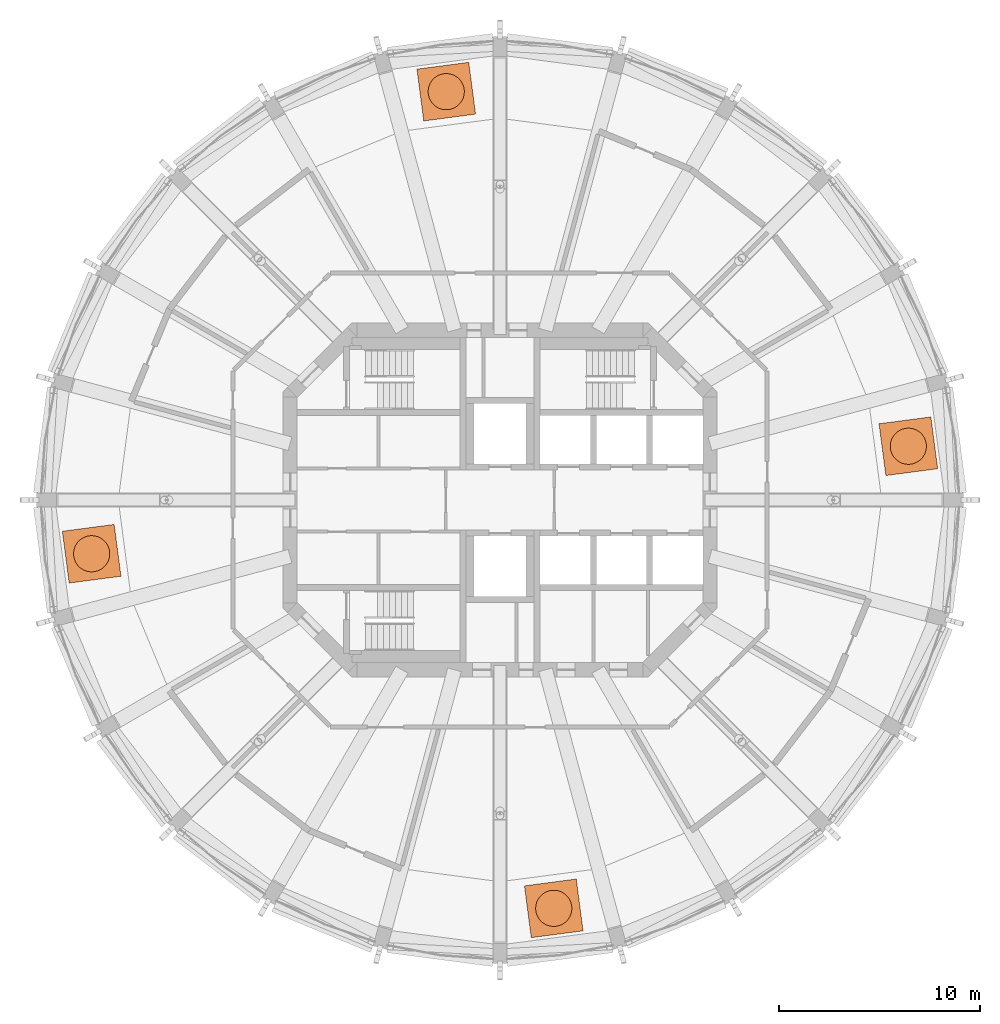
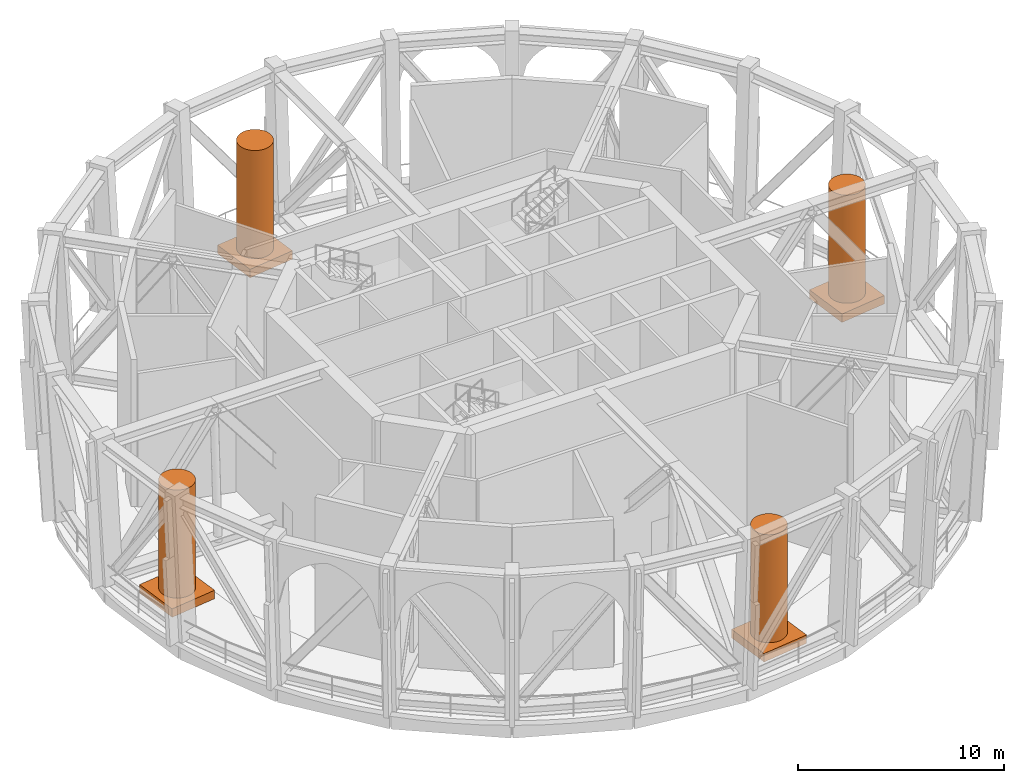
# One storey, part 12 of 12: 8 proxies.
"""IFC4 building model written with IfcOpenShell, lengths in metres."""

from ifc_helpers import new_model, si_unit, direction, frame, origin, origin_2d, place, context, subcontext, project, spatial, rectangle, circle, extrude, element, save


model = new_model("IFC4")

# Units and contexts
model_context = context("Model", 3, precision=1e-05, world=origin(), true_north=direction((0.0, 1.0)))
body_context = subcontext(model_context, "Body", "Model", "MODEL_VIEW")
ifc_project = project(units=[si_unit("LENGTHUNIT", "METRE"), si_unit("AREAUNIT", "SQUARE_METRE"), si_unit("VOLUMEUNIT", "CUBIC_METRE"), si_unit("PLANEANGLEUNIT", "RADIAN"), si_unit("MASSUNIT", "GRAM", prefix="KILO")], contexts=[model_context])

# Site, building, storey
site_placement = place(None, origin())
site = spatial("IfcSite", under=ifc_project, at=site_placement, CompositionType="ELEMENT")
building_placement = place(site_placement, origin())
building = spatial("IfcBuilding", under=site, at=building_placement, Name="Torre Triforio", CompositionType="ELEMENT")
storey_placement = place(building_placement, frame((0.0, 0.0, 183.800048828125)))
storey = spatial("IfcBuildingStorey", under=building, at=storey_placement, Name="L42", CompositionType="ELEMENT", Elevation=183.800048828125)

# Proxies
proxy_1_placement = place(storey_placement, frame((20.32470703125, 2.67578125, 0.0), z_axis=(0.0, 0.0, 1.0), x_axis=(0.991444861374, 0.13052619222, 0.0)))
element("IfcBuildingElementProxy", 1, at=proxy_1_placement, inside=storey, Name="Turbine plinth T1", PredefinedType="ELEMENT", context=body_context, shape_type="SweptSolid", body=[
    extrude(rectangle(XDim=2.60009765625, YDim=2.60009765625, at=origin_2d()), origin(), (0.0, 0.0, 1.0), 0.5),
])
proxy_2_placement = place(storey_placement, frame((20.32470703125, 2.67578125, 0.5), z_axis=(0.0, 0.0, 1.0), x_axis=(1.0, 0.0, 0.0)))
element("IfcBuildingElementProxy", 2, at=proxy_2_placement, inside=storey, Name="WIND TURBINE T1", PredefinedType="ELEMENT", context=body_context, shape_type="SweptSolid", body=[
    extrude(circle(Radius=0.89990234375, at=origin_2d()), origin(), (0.0, 0.0, 1.0), 6.39990234375),
])
proxy_3_placement = place(storey_placement, frame((-2.67578125, 20.32470703125, 0.0), z_axis=(0.0, 0.0, 1.0), x_axis=(-0.13052619222, 0.991444861374, 0.0)))
element("IfcBuildingElementProxy", 3, at=proxy_3_placement, inside=storey, Name="Turbine plinth T2", PredefinedType="ELEMENT", context=body_context, shape_type="SweptSolid", body=[
    extrude(rectangle(XDim=2.60009765625, YDim=2.60009765625, at=origin_2d()), origin(), (0.0, 0.0, 1.0), 0.5),
])
proxy_4_placement = place(storey_placement, frame((-2.67578125, 20.32470703125, 0.5), z_axis=(0.0, 0.0, 1.0), x_axis=(1.0, 0.0, 0.0)))
element("IfcBuildingElementProxy", 4, at=proxy_4_placement, inside=storey, Name="WIND TURBINE T2", PredefinedType="ELEMENT", context=body_context, shape_type="SweptSolid", body=[
    extrude(circle(Radius=0.89990234375, at=origin_2d()), origin(), (0.0, 0.0, 1.0), 6.39990234375),
])
proxy_5_placement = place(storey_placement, frame((-20.32470703125, -2.67578125, 0.0), z_axis=(0.0, 0.0, 1.0), x_axis=(-0.991444861374, -0.13052619222, 0.0)))
element("IfcBuildingElementProxy", 5, at=proxy_5_placement, inside=storey, Name="Turbine plinth T3", PredefinedType="ELEMENT", context=body_context, shape_type="SweptSolid", body=[
    extrude(rectangle(XDim=2.60009765625, YDim=2.60009765625, at=origin_2d()), origin(), (0.0, 0.0, 1.0), 0.5),
])
proxy_6_placement = place(storey_placement, frame((-20.32470703125, -2.67578125, 0.5), z_axis=(0.0, 0.0, 1.0), x_axis=(1.0, 0.0, 0.0)))
element("IfcBuildingElementProxy", 6, at=proxy_6_placement, inside=storey, Name="WIND TURBINE T3", PredefinedType="ELEMENT", context=body_context, shape_type="SweptSolid", body=[
    extrude(circle(Radius=0.89990234375, at=origin_2d()), origin(), (0.0, 0.0, 1.0), 6.39990234375),
])
proxy_7_placement = place(storey_placement, frame((2.67578125, -20.32470703125, 0.0), z_axis=(0.0, 0.0, 1.0), x_axis=(0.13052619222, -0.991444861374, 0.0)))
element("IfcBuildingElementProxy", 7, at=proxy_7_placement, inside=storey, Name="Turbine plinth T4", PredefinedType="ELEMENT", context=body_context, shape_type="SweptSolid", body=[
    extrude(rectangle(XDim=2.60009765625, YDim=2.60009765625, at=origin_2d()), origin(), (0.0, 0.0, 1.0), 0.5),
])
proxy_8_placement = place(storey_placement, frame((2.67578125, -20.32470703125, 0.5), z_axis=(0.0, 0.0, 1.0), x_axis=(1.0, 0.0, 0.0)))
element("IfcBuildingElementProxy", 8, at=proxy_8_placement, inside=storey, Name="WIND TURBINE T4", PredefinedType="ELEMENT", context=body_context, shape_type="SweptSolid", body=[
    extrude(circle(Radius=0.89990234375, at=origin_2d()), origin(), (0.0, 0.0, 1.0), 6.39990234375),
])

save(model, "model.ifc")
